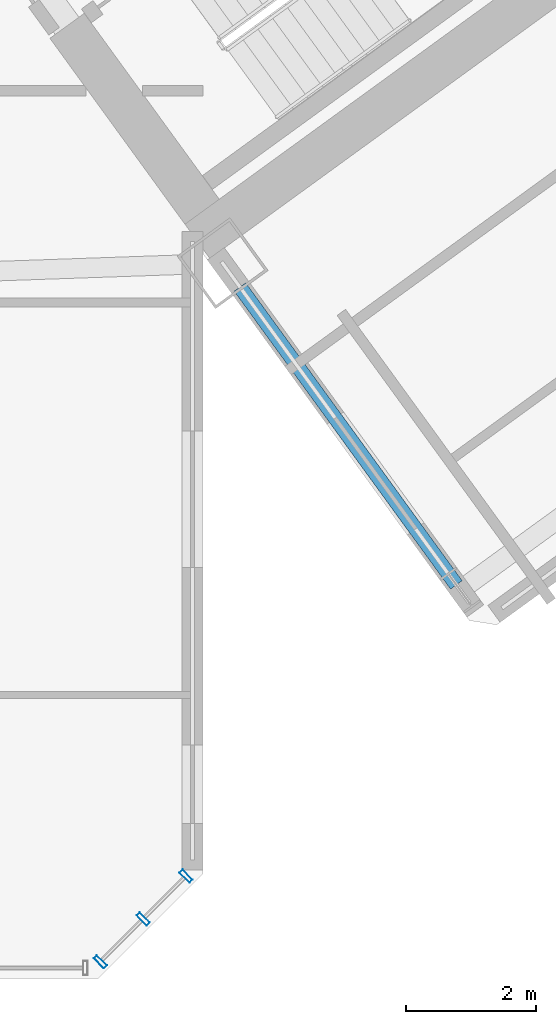
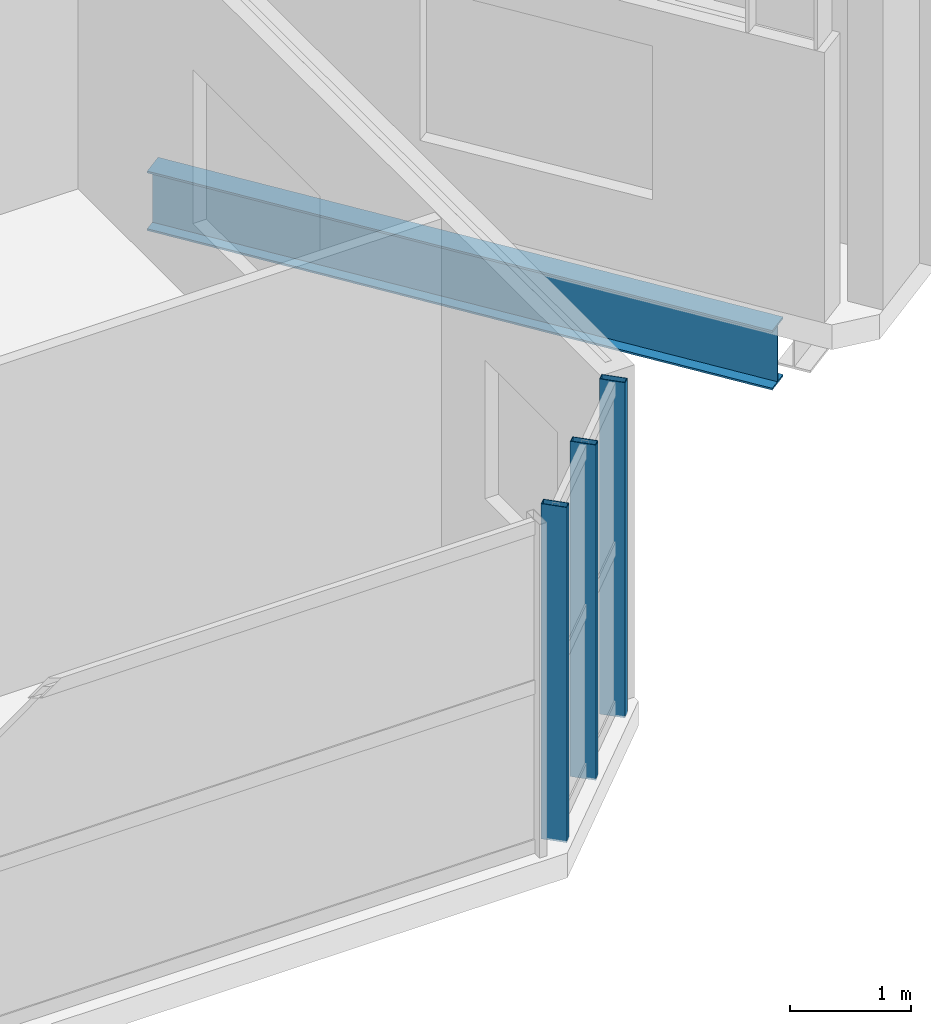
# One storey, part 9 of 28: 3 members, 1 beam, 1 element without a shape of its own.
"""IFC4 building model written with IfcOpenShell, lengths in metres."""

from ifc_helpers import new_model, si_unit, direction, frame, origin, origin_2d, place, context, subcontext, project, spatial, hollow_rectangle, i_section, extrude, source, transform, mapped, material, material_profile, profile_set, type_object, element, aggregate, save


model = new_model("IFC4")

# Units and contexts
model_context = context("Model", 3, precision=1e-05, world=origin(), true_north=direction((0.0, 1.0)))
body_context = subcontext(model_context, "Body", "Model", "MODEL_VIEW")
ifc_project = project(units=[si_unit("LENGTHUNIT", "METRE"), si_unit("AREAUNIT", "SQUARE_METRE"), si_unit("VOLUMEUNIT", "CUBIC_METRE"), si_unit("PLANEANGLEUNIT", "RADIAN"), si_unit("MASSUNIT", "GRAM", prefix="KILO")], contexts=[model_context])

# Site, building, storey
site_placement = place(None, origin())
site = spatial("IfcSite", under=ifc_project, at=site_placement, CompositionType="ELEMENT")
building_placement = place(site_placement, origin())
building = spatial("IfcBuilding", under=site, at=building_placement, Name="Tlacorven Tower", CompositionType="ELEMENT")
storey_placement = place(building_placement, frame((0.0, 0.0, 63.60009765625)))
storey = spatial("IfcBuildingStorey", under=building, at=storey_placement, Name="L16", CompositionType="ELEMENT", Elevation=63.60009765625)

# Beam
ifc_material_1 = material(Name="Steel S355J2", Category="steel")
ifc_material_profile_1 = material_profile(ifc_material_1, i_section(OverallWidth=0.219970703125, OverallDepth=0.60009765625, WebThickness=0.011962890625, FlangeThickness=0.01904296875, at=origin_2d()), Name="IPE 600")
ifc_profile_set_1 = profile_set([ifc_material_profile_1], Name="Steel S355J2")
beam_type = type_object("IfcBeamType", Name="BM-TWR-600", PredefinedType="BEAM", material=ifc_profile_set_1)
shared_shape_1 = source(origin(), body_context, "Body", "SweptSolid", [
    extrude(i_section(OverallWidth=0.219970703125, OverallDepth=0.60009765625, WebThickness=0.011962890625, FlangeThickness=0.01904296875, at=origin_2d()), origin(), (0.0, 0.0, 1.0), 5.650146484375),
])
beam_placement = place(storey_placement, frame((56.291015625, 7.83837890625, -0.550048828125), z_axis=(-0.587783675561, 0.809018139935, 0.0), x_axis=(-0.809018139935, -0.587783675561, 0.0)))
element("IfcBeam", 1, at=beam_placement, inside=storey, type_object=beam_type, Name="L16 beam BM-L16-ET1-1", PredefinedType="BEAM", context=body_context, shape_type="MappedRepresentation", body=[
    mapped(shared_shape_1, transform((0.0, 0.0, 0.0), scale=1.0)),
])

# Curtain wall, members
ifc_material_2 = material(Name="Dark solar low-E double glazing in aluminium frame", Category="aluminium")
curtain_wall_type = type_object("IfcCurtainWallType", Name="CW-TWR-LOW", PredefinedType="USERDEFINED", material=ifc_material_2)
curtain_wall_placement = place(storey_placement, origin())
curtain_wall = element("IfcCurtainWall", 2, at=curtain_wall_placement, inside=storey, type_object=curtain_wall_type, Name="L16 CW-TWR-LOW Curtain Wall 87", ObjectType="UNITISED CURTAIN WALL", PredefinedType="USERDEFINED")
ifc_material_3 = material(Name="Aluminium 6063-T6 anodised", Category="aluminium")
ifc_material_profile_2 = material_profile(ifc_material_3, hollow_rectangle(XDim=0.070068359375, YDim=0.219970703125, WallThickness=0.0048828125, at=origin_2d()), Name="ALU MULLION 70X220")
ifc_profile_set_2 = profile_set([ifc_material_profile_2], Name="Aluminium 6063-T6 anodised")
member_type = type_object("IfcMemberType", Name="CWM-01", PredefinedType="MULLION", material=ifc_profile_set_2)
shared_shape_2 = source(origin(), body_context, "Body", "SweptSolid", [
    extrude(hollow_rectangle(XDim=0.070068359375, YDim=0.219970703125, WallThickness=0.0048828125, at=origin_2d()), origin(), (0.0, 0.0, 1.0), 3.3798828125),
])
member_1_placement = place(storey_placement, frame((52.14453125, 3.370849609375, -0.02001953125), z_axis=(0.0, 0.0, 1.0), x_axis=(-0.707106781187, -0.707106781187, 0.0)))
member_1 = element("IfcMember", 3, at=member_1_placement, type_object=member_type, Name="CW-L16-087 Mullion 1", PredefinedType="MULLION", context=body_context, shape_type="MappedRepresentation", body=[
    mapped(shared_shape_2, transform((0.0, 0.0, 0.0), scale=1.0)),
])
member_2_placement = place(storey_placement, frame((51.48681640625, 2.713134765625, -0.02001953125), z_axis=(0.0, 0.0, 1.0), x_axis=(-0.707106781187, -0.707106781187, 0.0)))
member_2 = element("IfcMember", 4, at=member_2_placement, type_object=member_type, Name="CW-L16-087 Mullion 2", PredefinedType="MULLION", context=body_context, shape_type="MappedRepresentation", body=[
    mapped(shared_shape_2, transform((0.0, 0.0, 0.0), scale=1.0)),
])
member_3_placement = place(storey_placement, frame((50.8291015625, 2.055419921875, -0.02001953125), z_axis=(0.0, 0.0, 1.0), x_axis=(-0.707106781187, -0.707106781187, 0.0)))
member_3 = element("IfcMember", 5, at=member_3_placement, type_object=member_type, Name="CW-L16-087 Mullion 3", PredefinedType="MULLION", context=body_context, shape_type="MappedRepresentation", body=[
    mapped(shared_shape_2, transform((0.0, 0.0, 0.0), scale=1.0)),
])
aggregate(curtain_wall, [member_1, member_2, member_3])

save(model, "model.ifc")
